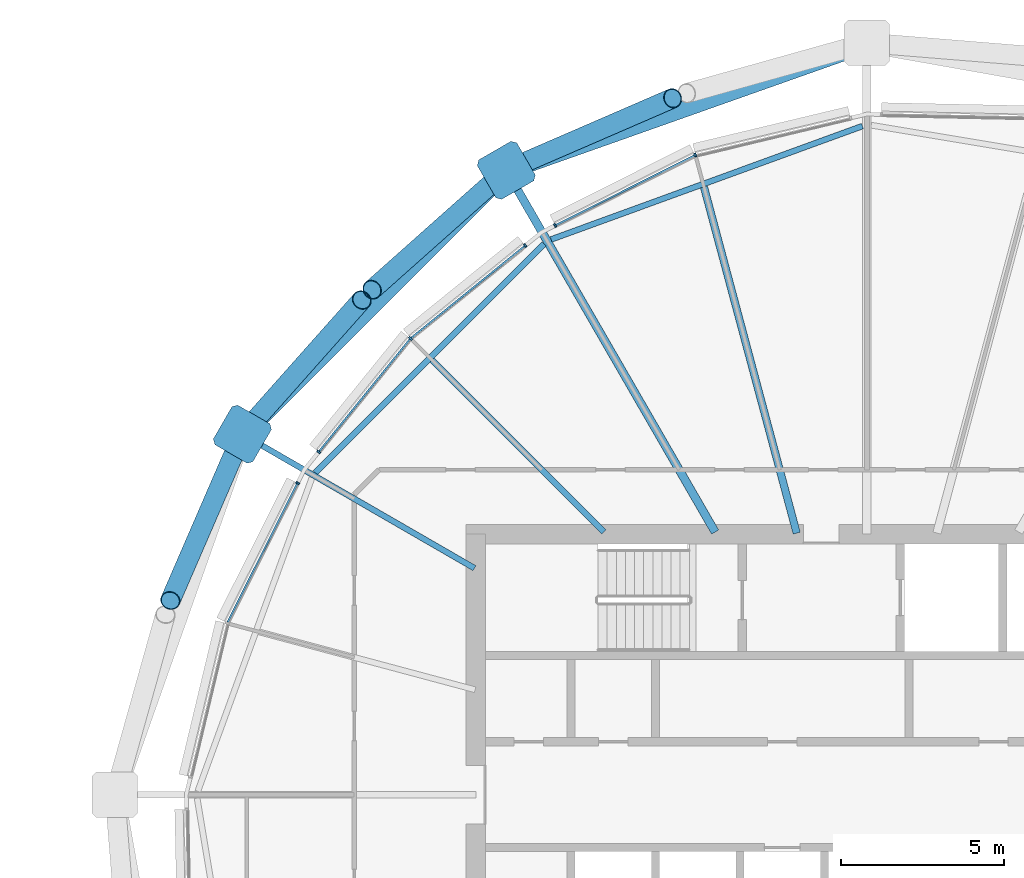
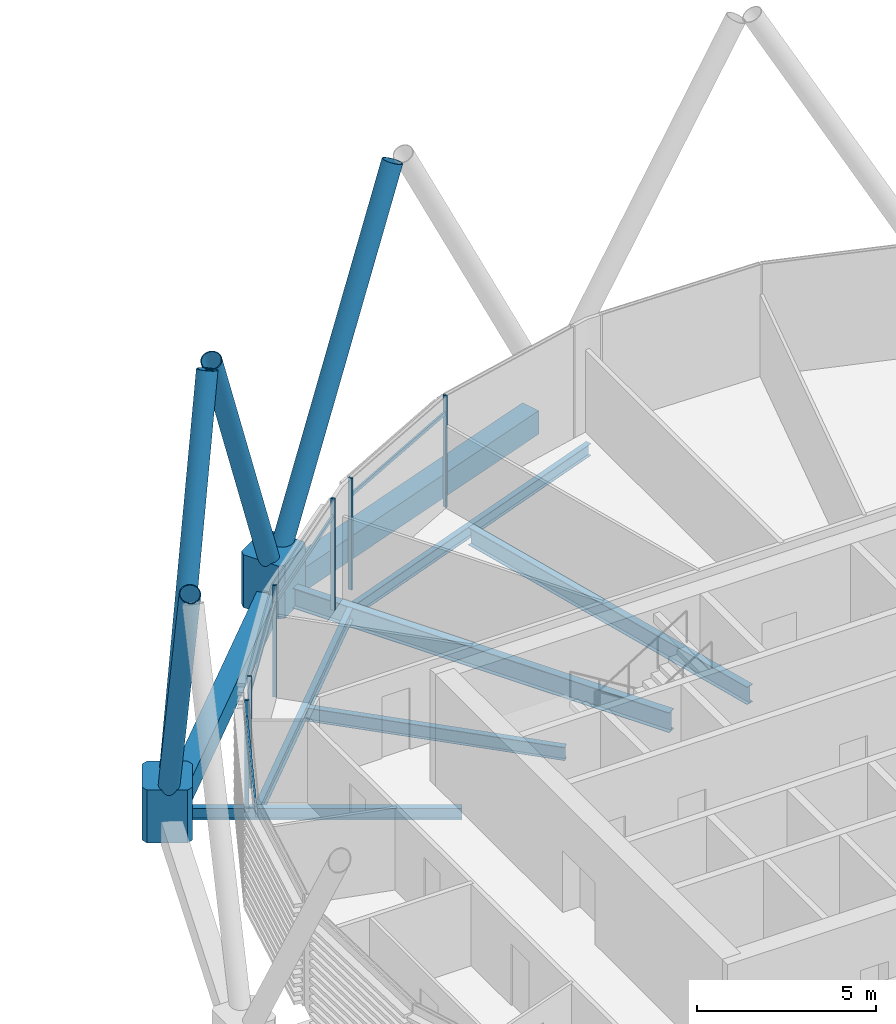
# One storey, part 17 of 37: 16 members, 8 beams, 1 element without a shape of its own.
"""IFC4 building model written with IfcOpenShell, lengths in metres."""

from ifc_helpers import new_model, si_unit, direction, frame, origin, origin_2d, place, context, subcontext, project, spatial, polyline, rectangle, hollow_rectangle, hollow_circle, i_section, outline, extrude, material, material_profile, profile_set, type_object, element, aggregate, save


model = new_model("IFC4")

# Units and contexts
model_context = context("Model", 3, precision=1e-05, world=origin(), true_north=direction((0.0, 1.0)))
body_context = subcontext(model_context, "Body", "Model", "MODEL_VIEW")
ifc_project = project(units=[si_unit("LENGTHUNIT", "METRE"), si_unit("AREAUNIT", "SQUARE_METRE"), si_unit("VOLUMEUNIT", "CUBIC_METRE"), si_unit("PLANEANGLEUNIT", "RADIAN"), si_unit("MASSUNIT", "GRAM", prefix="KILO")], contexts=[model_context])

# Site, building, storey
site_placement = place(None, origin())
site = spatial("IfcSite", under=ifc_project, at=site_placement, CompositionType="ELEMENT")
building_placement = place(site_placement, origin())
building = spatial("IfcBuilding", under=site, at=building_placement, Name="Rimbun Link Towers", CompositionType="ELEMENT")
storey_placement = place(building_placement, frame((0.0, 0.0, 170.300048828125)))
storey = spatial("IfcBuildingStorey", under=building, at=storey_placement, Name="L41", CompositionType="ELEMENT", Elevation=170.300048828125)

# Curtain wall, members
ifc_material_1 = material(Name="Aluminium 6063-T6 and low-iron glass", Category="aluminium")
curtain_wall_type = type_object("IfcCurtainWallType", Name="CW1-Z3 unitised vision wall (zone 3)", PredefinedType="NOTDEFINED", material=ifc_material_1)
curtain_wall_placement = place(storey_placement, origin())
curtain_wall = element("IfcCurtainWall", 1, at=curtain_wall_placement, inside=storey, type_object=curtain_wall_type, Name="CW1 L41 T2", PredefinedType="NOTDEFINED")
ifc_material_2 = material(Name="Aluminium 6063-T6", Category="aluminium")
ifc_material_profile_1 = material_profile(ifc_material_2, rectangle(XDim=0.1201171875, YDim=0.06005859375, at=origin_2d()), Name="MULLION 60X120")
ifc_profile_set_1 = profile_set([ifc_material_profile_1], Name="Aluminium 6063-T6")
member_type_1 = type_object("IfcMemberType", Name="CW1 mullion 60X120", PredefinedType="MULLION", material=ifc_profile_set_1)
member_1_placement = place(storey_placement, frame((26.4833984375, 19.634765625, 0.0), z_axis=(0.0, 0.0, 1.0), x_axis=(-0.342962048977, 0.939349260372, 0.0)))
member_1 = element("IfcMember", 2, at=member_1_placement, type_object=member_type_1, Name="CW1 mullion", PredefinedType="MULLION", context=body_context, shape_type="SweptSolid", body=[
    extrude(rectangle(XDim=0.1201171875, YDim=0.06005859375, at=origin_2d()), origin(), (0.0, 0.0, 1.0), 3.800048828125),
])
member_2_placement = place(storey_placement, frame((22.18310546875, 17.475830078125, 0.0), z_axis=(0.0, 0.0, 1.0), x_axis=(-0.44877333613, 0.893645619235, 0.0)))
member_2 = element("IfcMember", 3, at=member_2_placement, type_object=member_type_1, Name="CW1 mullion", PredefinedType="MULLION", context=body_context, shape_type="SweptSolid", body=[
    extrude(rectangle(XDim=0.1201171875, YDim=0.06005859375, at=origin_2d()), origin(), (0.0, 0.0, 1.0), 3.800048828125),
])
member_3_placement = place(storey_placement, frame((17.7431640625, 14.0068359375, 0.0), z_axis=(0.0, 0.0, 1.0), x_axis=(-0.707106781187, 0.707106781187, 0.0)))
member_3 = element("IfcMember", 4, at=member_3_placement, type_object=member_type_1, Name="CW1 mullion", PredefinedType="MULLION", context=body_context, shape_type="SweptSolid", body=[
    extrude(rectangle(XDim=0.1201171875, YDim=0.06005859375, at=origin_2d()), origin(), (0.0, 0.0, 1.0), 3.800048828125),
])
member_4_placement = place(storey_placement, frame((21.264892578125, 16.85791015625, 0.0), z_axis=(0.0, 0.0, 1.0), x_axis=(-0.629157646962, 0.777277720811, 0.0)))
member_4 = element("IfcMember", 5, at=member_4_placement, type_object=member_type_1, Name="CW1 mullion", PredefinedType="MULLION", context=body_context, shape_type="SweptSolid", body=[
    extrude(rectangle(XDim=0.1201171875, YDim=0.06005859375, at=origin_2d()), origin(), (0.0, 0.0, 1.0), 3.800048828125),
])
member_5_placement = place(storey_placement, frame((14.923583984375, 10.52392578125, 0.0), z_axis=(0.0, 0.0, 1.0), x_axis=(-0.777277720811, 0.629157646962, 0.0)))
member_5 = element("IfcMember", 6, at=member_5_placement, type_object=member_type_1, Name="CW1 mullion", PredefinedType="MULLION", context=body_context, shape_type="SweptSolid", body=[
    extrude(rectangle(XDim=0.1201171875, YDim=0.06005859375, at=origin_2d()), origin(), (0.0, 0.0, 1.0), 3.800048828125),
])
member_6_placement = place(storey_placement, frame((14.274169921875, 9.56689453125, 0.0), z_axis=(0.0, 0.0, 1.0), x_axis=(-0.893645619235, 0.44877333613, 0.0)))
member_6 = element("IfcMember", 7, at=member_6_placement, type_object=member_type_1, Name="CW1 mullion", PredefinedType="MULLION", context=body_context, shape_type="SweptSolid", body=[
    extrude(rectangle(XDim=0.1201171875, YDim=0.06005859375, at=origin_2d()), origin(), (0.0, 0.0, 1.0), 3.800048828125),
])
ifc_material_3 = material(Name="Aluminium 6063-T6", Category="aluminium")
ifc_material_profile_2 = material_profile(ifc_material_3, rectangle(XDim=0.06005859375, YDim=0.1201171875, at=origin_2d()), Name="TRANSOM 60X120")
ifc_profile_set_2 = profile_set([ifc_material_profile_2], Name="Aluminium 6063-T6")
member_type_2 = type_object("IfcMemberType", Name="CW1 transom 60X120", PredefinedType="USERDEFINED", material=ifc_profile_set_2)
member_7_placement = place(storey_placement, frame((22.2109375, 17.487548828125, 3.199951171875), z_axis=(0.893643730641, 0.448777096882, 0.0), x_axis=(-0.448777096882, 0.893643730641, 0.0)))
member_7 = element("IfcMember", 8, at=member_7_placement, type_object=member_type_2, Name="CW1 transom", ObjectType="TRANSOM", PredefinedType="USERDEFINED", context=body_context, shape_type="SweptSolid", body=[
    extrude(rectangle(XDim=0.06005859375, YDim=0.1201171875, at=origin_2d()), origin(), (0.0, 0.0, 1.0), 4.744873046875),
])
member_8_placement = place(storey_placement, frame((17.7724609375, 14.0283203125, 3.199951171875), z_axis=(0.777281797361, 0.629152610653, 0.0), x_axis=(-0.629152610653, 0.777281797361, 0.0)))
member_8 = element("IfcMember", 9, at=member_8_placement, type_object=member_type_2, Name="CW1 transom", ObjectType="TRANSOM", PredefinedType="USERDEFINED", context=body_context, shape_type="SweptSolid", body=[
    extrude(rectangle(XDim=0.06005859375, YDim=0.1201171875, at=origin_2d()), origin(), (0.0, 0.0, 1.0), 4.46484375),
])
member_9_placement = place(storey_placement, frame((14.944091796875, 10.5458984375, 3.199951171875), z_axis=(0.629142548778, 0.777289941603, 0.0), x_axis=(-0.777289941603, 0.629142548778, 0.0)))
member_9 = element("IfcMember", 10, at=member_9_placement, type_object=member_type_2, Name="CW1 transom", ObjectType="TRANSOM", PredefinedType="USERDEFINED", context=body_context, shape_type="SweptSolid", body=[
    extrude(rectangle(XDim=0.06005859375, YDim=0.1201171875, at=origin_2d()), origin(), (0.0, 0.0, 1.0), 4.414794921875),
])
member_10_placement = place(storey_placement, frame((12.133056640625, 5.298828125, 3.199951171875), z_axis=(0.448777096882, 0.893643730641, 0.0), x_axis=(-0.893643730641, 0.448777096882, 0.0)))
member_10 = element("IfcMember", 11, at=member_10_placement, type_object=member_type_2, Name="CW1 transom", ObjectType="TRANSOM", PredefinedType="USERDEFINED", context=body_context, shape_type="SweptSolid", body=[
    extrude(rectangle(XDim=0.06005859375, YDim=0.1201171875, at=origin_2d()), origin(), (0.0, 0.0, 1.0), 4.744873046875),
])
aggregate(curtain_wall, [member_1, member_2, member_3, member_4, member_5, member_6, member_7, member_8, member_9, member_10])

# Members
ifc_material_4 = material(Name="Steel S355J2H", Category="steel")
ifc_material_profile_3 = material_profile(ifc_material_4, hollow_circle(Radius=0.3046875, WallThickness=0.02490234375, at=origin_2d()), Name="Diagrid diagonal CHS 610x25")
ifc_profile_set_3 = profile_set([ifc_material_profile_3], Name="Steel S355J2H")
member_type_3 = type_object("IfcMemberType", Name="Diagrid diagonal CHS 610x25", PredefinedType="BRACE", material=ifc_profile_set_3)
member_11_placement = place(storey_placement, frame((20.890625, 19.2587890625, 0.44580078125), z_axis=(0.415596283238, 0.180042010262, 0.891551795411), x_axis=(-0.397515027552, 0.917595664152, 0.0)))
element("IfcMember", 12, at=member_11_placement, inside=storey, type_object=member_type_3, Name="Diagrid diagonal T2 L41-L44 05a", PredefinedType="BRACE", context=body_context, shape_type="SweptSolid", body=[
    extrude(hollow_circle(Radius=0.3046875, WallThickness=0.02490234375, at=origin_2d()), origin(), (0.0, 0.0, 1.0), 11.78662109375),
])
for number, where, z_axis, x_axis, name in (
    (13, (20.514892578125, 19.019287109375, 0.446533203125), (-0.335963675498, -0.298811950093, 0.89321880143), (0.664584429129, -0.747213180129, 0.0), "Diagrid diagonal T2 L41-L44 05b"),
    (14, (12.730712890625, 11.235107421875, 0.446533203125), (0.298811950093, 0.335963675498, 0.89321880143), (-0.747213180129, 0.664584429129, 0.0), "Diagrid diagonal T2 L41-L44 07a"),
):
    element("IfcMember", number, at=place(storey_placement, frame(where, z_axis=z_axis, x_axis=x_axis)), inside=storey, type_object=member_type_3, Name=name, PredefinedType="BRACE", context=body_context, shape_type="SweptSolid", body=[
        extrude(hollow_circle(Radius=0.3046875, WallThickness=0.02490234375, at=origin_2d()), origin(), (0.0, 0.0, 1.0), 11.762939453125),
    ])
member_12_placement = place(storey_placement, frame((12.4912109375, 10.859375, 0.44580078125), z_axis=(-0.180042010262, -0.415596283238, 0.891551795411), x_axis=(0.917595664152, -0.397515027552, 0.0)))
element("IfcMember", 15, at=member_12_placement, inside=storey, type_object=member_type_3, Name="Diagrid diagonal T2 L41-L44 07b", PredefinedType="BRACE", context=body_context, shape_type="SweptSolid", body=[
    extrude(hollow_circle(Radius=0.3046875, WallThickness=0.02490234375, at=origin_2d()), origin(), (0.0, 0.0, 1.0), 11.78662109375),
])
ifc_material_5 = material(Name="Cast steel G20Mn5+QT, Rp0.2 300 MPa", Category="steel")
ifc_material_profile_4 = material_profile(ifc_material_5, outline(polyline([(0.699951171875, -0.570068359375), (0.699951171875, 0.570068359375), (0.570068359375, 0.699951171875), (-0.570068359375, 0.699951171875), (-0.699951171875, 0.570068359375), (-0.699951171875, -0.570068359375), (-0.570068359375, -0.699951171875), (0.570068359375, -0.699951171875), (0.699951171875, -0.570068359375)])), Name="NODE 1400x1400")
ifc_profile_set_4 = profile_set([ifc_material_profile_4], Name="Cast steel G20Mn5+QT, Rp0.2 300 MPa")
member_type_4 = type_object("IfcMemberType", Name="Diagrid node cast 1400", PredefinedType="USERDEFINED", material=ifc_profile_set_4)
for number, where, z_axis, x_axis, name in (
    (16, (20.682861328125, 19.168701171875, -0.900146484375), (0.0, 0.0, 1.0), (-0.5, 0.866025403784, 0.0), "Diagrid node L41 05"),
    (17, (12.581298828125, 11.067138671875, -0.900146484375), (0.0, 0.0, 1.0), (-0.866025403784, 0.5, 0.0), "Diagrid node L41 07"),
):
    element("IfcMember", number, at=place(storey_placement, frame(where, z_axis=z_axis, x_axis=x_axis)), inside=storey, type_object=member_type_4, Name=name, ObjectType="Diagrid node", PredefinedType="USERDEFINED", context=body_context, shape_type="SweptSolid", body=[
        extrude(outline(polyline([(0.699951171875, -0.570068359375), (0.699951171875, 0.570068359375), (0.570068359375, 0.699951171875), (-0.570068359375, 0.699951171875), (-0.699951171875, 0.570068359375), (-0.699951171875, -0.570068359375), (-0.570068359375, -0.699951171875), (0.570068359375, -0.699951171875), (0.699951171875, -0.570068359375)])), origin(), (0.0, 0.0, 1.0), 1.800048828125),
    ])

# Beams
ifc_material_6 = material(Name="Steel S355J2", Category="steel")
ifc_material_profile_5 = material_profile(ifc_material_6, hollow_rectangle(XDim=0.60009765625, YDim=0.800048828125, WallThickness=0.0400390625, at=origin_2d()), Name="Exoskeleton ring girder BOX 600x800x40")
ifc_profile_set_5 = profile_set([ifc_material_profile_5], Name="Steel S355J2")
beam_type_1 = type_object("IfcBeamType", Name="Exoskeleton ring girder BOX 600x800x40", PredefinedType="BEAM", material=ifc_profile_set_5)
beam_1_placement = place(storey_placement, frame((31.090087890625, 22.849609375, -0.56005859375), z_axis=(-0.942769103259, -0.333446274443, 0.0), x_axis=(0.333446274443, -0.942769103259, 0.0)))
element("IfcBeam", 18, at=beam_1_placement, inside=storey, type_object=beam_type_1, Name="Exoskeleton ring girder L41 01", PredefinedType="BEAM", context=body_context, shape_type="SweptSolid", body=[
    extrude(hollow_rectangle(XDim=0.60009765625, YDim=0.800048828125, WallThickness=0.0400390625, at=origin_2d()), origin(), (0.0, 0.0, 1.0), 10.339111328125),
])
beam_2_placement = place(storey_placement, frame((20.18798828125, 18.673828125, -0.56005859375), z_axis=(-0.707106781187, -0.707106781187, 0.0), x_axis=(0.707106781187, -0.707106781187, 0.0)))
element("IfcBeam", 19, at=beam_2_placement, inside=storey, type_object=beam_type_1, Name="Exoskeleton ring girder L41 02", PredefinedType="BEAM", context=body_context, shape_type="SweptSolid", body=[
    extrude(hollow_rectangle(XDim=0.60009765625, YDim=0.800048828125, WallThickness=0.0400390625, at=origin_2d()), origin(), (0.0, 0.0, 1.0), 10.0576171875),
])
ifc_material_7 = material(Name="Steel S355J2", Category="steel")
ifc_material_profile_6 = material_profile(ifc_material_7, i_section(OverallWidth=0.177978515625, OverallDepth=0.406494140625, WebThickness=0.0078125, FlangeThickness=0.0126953125, at=origin_2d()), Name="UB 406x178x60")
ifc_profile_set_6 = profile_set([ifc_material_profile_6], Name="Steel S355J2")
beam_type_2 = type_object("IfcBeamType", Name="UB 406x178x60", PredefinedType="BEAM", material=ifc_profile_set_6)
beam_3_placement = place(storey_placement, frame((19.70458984375, 6.954345703125, -0.353271484375), z_axis=(-0.866021391271, 0.500006949813, 0.0), x_axis=(-0.500006949813, -0.866021391271, 0.0)))
element("IfcBeam", 20, at=beam_3_placement, inside=storey, type_object=beam_type_2, Name="Radial beam T2 L41 07", PredefinedType="BEAM", context=body_context, shape_type="SweptSolid", body=[
    extrude(i_section(OverallWidth=0.177978515625, OverallDepth=0.406494140625, WebThickness=0.0078125, FlangeThickness=0.0126953125, at=origin_2d()), origin(), (0.0, 0.0, 1.0), 7.7255859375),
])
beam_4_placement = place(storey_placement, frame((31.61572265625, 20.527099609375, -0.353271484375), z_axis=(-0.939617435034, -0.342226643877, 0.0), x_axis=(0.342226643877, -0.939617435034, 0.0)))
element("IfcBeam", 21, at=beam_4_placement, inside=storey, type_object=beam_type_2, Name="Edge beam T2 L41 03-05", PredefinedType="BEAM", context=body_context, shape_type="SweptSolid", body=[
    extrude(i_section(OverallWidth=0.177978515625, OverallDepth=0.406494140625, WebThickness=0.0078125, FlangeThickness=0.0126953125, at=origin_2d()), origin(), (0.0, 0.0, 1.0), 10.173583984375),
])
beam_5_placement = place(storey_placement, frame((21.8408203125, 16.907470703125, -0.353271484375), z_axis=(-0.707106781187, -0.707106781187, 0.0), x_axis=(0.707106781187, -0.707106781187, 0.0)))
element("IfcBeam", 22, at=beam_5_placement, inside=storey, type_object=beam_type_2, Name="Edge beam T2 L41 05-07", PredefinedType="BEAM", context=body_context, shape_type="SweptSolid", body=[
    extrude(i_section(OverallWidth=0.177978515625, OverallDepth=0.406494140625, WebThickness=0.0078125, FlangeThickness=0.0126953125, at=origin_2d()), origin(), (0.0, 0.0, 1.0), 9.9365234375),
])
ifc_material_8 = material(Name="Steel S355J2", Category="steel")
ifc_material_profile_7 = material_profile(ifc_material_8, i_section(OverallWidth=0.18994140625, OverallDepth=0.453369140625, WebThickness=0.008544921875, FlangeThickness=0.0126953125, at=origin_2d()), Name="UB 457x191x67")
ifc_profile_set_7 = profile_set([ifc_material_profile_7], Name="Steel S355J2")
beam_type_3 = type_object("IfcBeamType", Name="UB 457x191x67", PredefinedType="BEAM", material=ifc_profile_set_7)
beam_6_placement = place(storey_placement, frame((23.68212890625, 8.06787109375, -0.376708984375), z_axis=(-0.707106781187, 0.707106781187, 0.0), x_axis=(-0.707106781187, -0.707106781187, 0.0)))
element("IfcBeam", 23, at=beam_6_placement, inside=storey, type_object=beam_type_3, Name="Radial beam T2 L41 06", PredefinedType="BEAM", context=body_context, shape_type="SweptSolid", body=[
    extrude(i_section(OverallWidth=0.18994140625, OverallDepth=0.453369140625, WebThickness=0.008544921875, FlangeThickness=0.0126953125, at=origin_2d()), origin(), (0.0, 0.0, 1.0), 7.462646484375),
])
ifc_material_9 = material(Name="Steel S355J2", Category="steel")
ifc_material_profile_8 = material_profile(ifc_material_9, i_section(OverallWidth=0.2275390625, OverallDepth=0.6025390625, WebThickness=0.010498046875, FlangeThickness=0.014892578125, at=origin_2d()), Name="UB 610x229x101")
ifc_profile_set_8 = profile_set([ifc_material_profile_8], Name="Steel S355J2")
beam_type_4 = type_object("IfcBeamType", Name="UB 610x229x101", PredefinedType="BEAM", material=ifc_profile_set_8)
beam_7_placement = place(storey_placement, frame((29.598388671875, 8.030517578125, -0.451416015625), z_axis=(-0.258836266354, 0.965921211704, 0.0), x_axis=(-0.965921211704, -0.258836266354, 0.0)))
element("IfcBeam", 24, at=beam_7_placement, inside=storey, type_object=beam_type_4, Name="Radial beam T2 L41 04", PredefinedType="BEAM", context=body_context, shape_type="SweptSolid", body=[
    extrude(i_section(OverallWidth=0.2275390625, OverallDepth=0.6025390625, WebThickness=0.010498046875, FlangeThickness=0.014892578125, at=origin_2d()), origin(), (0.0, 0.0, 1.0), 11.003662109375),
])
ifc_material_10 = material(Name="Steel S355J2", Category="steel")
ifc_material_profile_9 = material_profile(ifc_material_10, i_section(OverallWidth=0.253662109375, OverallDepth=0.68359375, WebThickness=0.012451171875, FlangeThickness=0.01904296875, at=origin_2d()), Name="UB 686x254x140")
ifc_profile_set_9 = profile_set([ifc_material_profile_9], Name="Steel S355J2")
beam_type_5 = type_object("IfcBeamType", Name="UB 686x254x140", PredefinedType="BEAM", material=ifc_profile_set_9)
beam_8_placement = place(storey_placement, frame((27.093994140625, 8.064208984375, -0.49169921875), z_axis=(-0.499991714086, 0.866030187606, 0.0), x_axis=(-0.866030187606, -0.499991714086, 0.0)))
element("IfcBeam", 25, at=beam_8_placement, inside=storey, type_object=beam_type_5, Name="Radial beam T2 L41 05", PredefinedType="BEAM", context=body_context, shape_type="SweptSolid", body=[
    extrude(i_section(OverallWidth=0.253662109375, OverallDepth=0.68359375, WebThickness=0.012451171875, FlangeThickness=0.01904296875, at=origin_2d()), origin(), (0.0, 0.0, 1.0), 12.322509765625),
])

save(model, "model.ifc")
